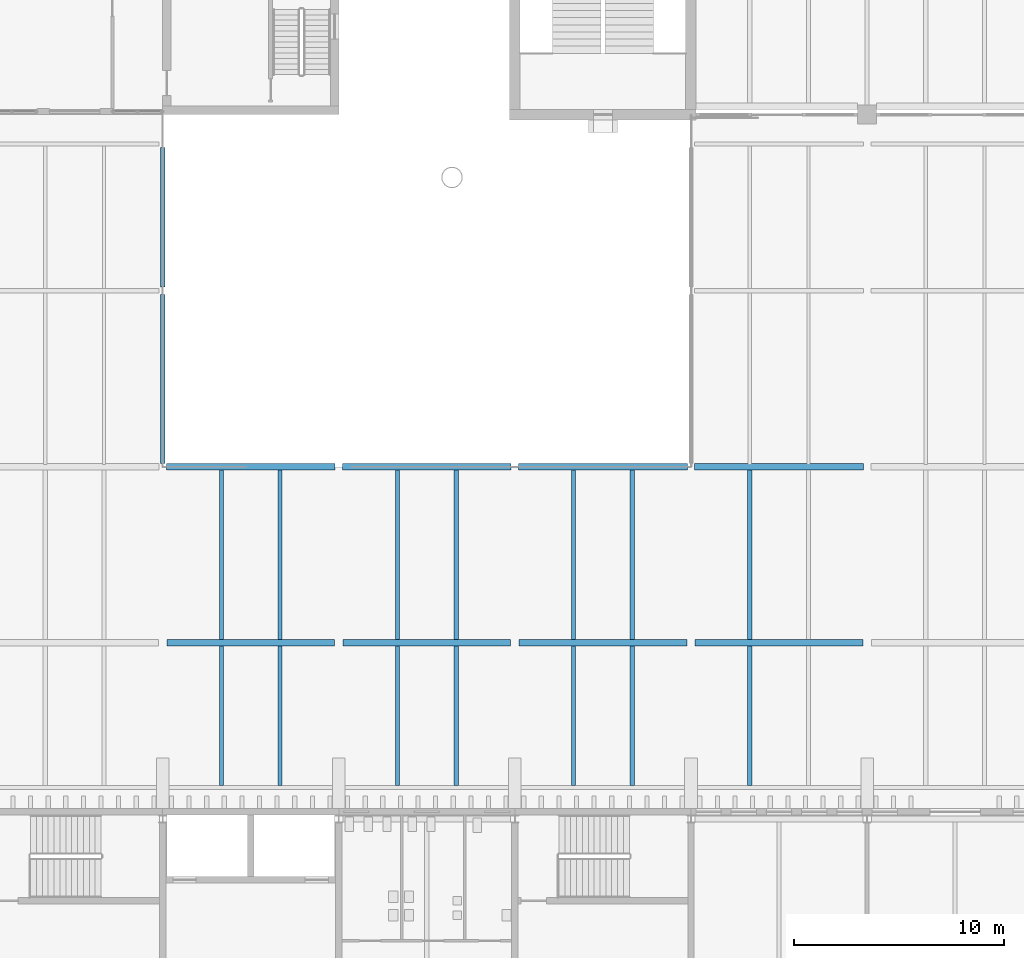
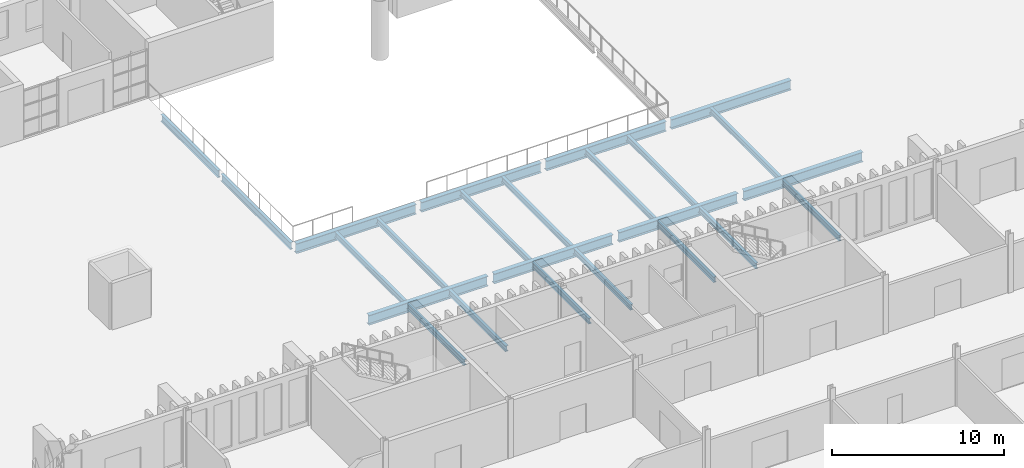
# One storey, part 21 of 96: 24 beams.
"""IFC4 building model written with IfcOpenShell, lengths in metres."""

from ifc_helpers import new_model, si_unit, direction, frame, origin, origin_2d, place, context, subcontext, project, spatial, i_section, extrude, material, material_profile, profile_set, type_object, element, save


model = new_model("IFC4")

# Units and contexts
model_context = context("Model", 3, precision=1e-05, world=origin(), true_north=direction((0.0, 1.0)))
body_context = subcontext(model_context, "Body", "Model", "MODEL_VIEW")
ifc_project = project(units=[si_unit("LENGTHUNIT", "METRE"), si_unit("AREAUNIT", "SQUARE_METRE"), si_unit("VOLUMEUNIT", "CUBIC_METRE"), si_unit("PLANEANGLEUNIT", "RADIAN"), si_unit("MASSUNIT", "GRAM", prefix="KILO")], contexts=[model_context])

# Site, building, storey
site_placement = place(None, origin())
site = spatial("IfcSite", under=ifc_project, at=site_placement, CompositionType="ELEMENT")
building_placement = place(site_placement, origin())
building = spatial("IfcBuilding", under=site, at=building_placement, Name="Cresset Court Congress Hotel", CompositionType="ELEMENT")
storey_placement = place(building_placement, frame((0.0, 0.0, 6.0)))
storey = spatial("IfcBuildingStorey", under=building, at=storey_placement, Name="L01", CompositionType="ELEMENT", Elevation=6.0)

# Beams
ifc_material_1 = material(Name="Structural steel Q355B", Category="steel")
ifc_material_profile_1 = material_profile(ifc_material_1, i_section(OverallWidth=0.199951171875, OverallDepth=0.39990234375, WebThickness=0.008056640625, FlangeThickness=0.012939453125, FilletRadius=0.01611328125, at=origin_2d()), Name="HN400x200x8x13")
ifc_profile_set_1 = profile_set([ifc_material_profile_1], Name="Structural steel Q355B")
beam_type_1 = type_object("IfcBeamType", Name="Steel beam HN400x200x8x13", PredefinedType="BEAM", material=ifc_profile_set_1)
beam_1_placement = place(storey_placement, frame((44.800048828125, 26.800048828125, -0.35009765625), z_axis=(0.0, 1.0, 0.0), x_axis=(-1.0, 0.0, 0.0)))
element("IfcBeam", 1, at=beam_1_placement, inside=storey, type_object=beam_type_1, Name="S.dbm.L01.S017", PredefinedType="BEAM", context=body_context, shape_type="SweptSolid", body=[
    extrude(i_section(OverallWidth=0.199951171875, OverallDepth=0.39990234375, WebThickness=0.008056640625, FlangeThickness=0.012939453125, FilletRadius=0.01611328125, at=origin_2d()), origin(), (0.0, 0.0, 1.0), 6.64990234375),
])
beam_2_placement = place(storey_placement, frame((44.800048828125, 33.75, -0.35009765625), z_axis=(0.0, 1.0, 0.0), x_axis=(-1.0, 0.0, 0.0)))
element("IfcBeam", 2, at=beam_2_placement, inside=storey, type_object=beam_type_1, Name="S.dbm.L01.S018", PredefinedType="BEAM", context=body_context, shape_type="SweptSolid", body=[
    extrude(i_section(OverallWidth=0.199951171875, OverallDepth=0.39990234375, WebThickness=0.008056640625, FlangeThickness=0.012939453125, FilletRadius=0.01611328125, at=origin_2d()), origin(), (0.0, 0.0, 1.0), 8.10009765625),
])
beam_3_placement = place(storey_placement, frame((47.60009765625, 26.800048828125, -0.35009765625), z_axis=(0.0, 1.0, 0.0), x_axis=(-1.0, 0.0, 0.0)))
element("IfcBeam", 3, at=beam_3_placement, inside=storey, type_object=beam_type_1, Name="S.dbm.L01.S019", PredefinedType="BEAM", context=body_context, shape_type="SweptSolid", body=[
    extrude(i_section(OverallWidth=0.199951171875, OverallDepth=0.39990234375, WebThickness=0.008056640625, FlangeThickness=0.012939453125, FilletRadius=0.01611328125, at=origin_2d()), origin(), (0.0, 0.0, 1.0), 6.64990234375),
])
beam_4_placement = place(storey_placement, frame((47.60009765625, 33.75, -0.35009765625), z_axis=(0.0, 1.0, 0.0), x_axis=(-1.0, 0.0, 0.0)))
element("IfcBeam", 4, at=beam_4_placement, inside=storey, type_object=beam_type_1, Name="S.dbm.L01.S020", PredefinedType="BEAM", context=body_context, shape_type="SweptSolid", body=[
    extrude(i_section(OverallWidth=0.199951171875, OverallDepth=0.39990234375, WebThickness=0.008056640625, FlangeThickness=0.012939453125, FilletRadius=0.01611328125, at=origin_2d()), origin(), (0.0, 0.0, 1.0), 8.10009765625),
])
beam_5_placement = place(storey_placement, frame((53.199951171875, 26.800048828125, -0.35009765625), z_axis=(0.0, 1.0, 0.0), x_axis=(-1.0, 0.0, 0.0)))
element("IfcBeam", 5, at=beam_5_placement, inside=storey, type_object=beam_type_1, Name="S.dbm.L01.S021", PredefinedType="BEAM", context=body_context, shape_type="SweptSolid", body=[
    extrude(i_section(OverallWidth=0.199951171875, OverallDepth=0.39990234375, WebThickness=0.008056640625, FlangeThickness=0.012939453125, FilletRadius=0.01611328125, at=origin_2d()), origin(), (0.0, 0.0, 1.0), 6.64990234375),
])
beam_6_placement = place(storey_placement, frame((53.199951171875, 33.75, -0.35009765625), z_axis=(0.0, 1.0, 0.0), x_axis=(-1.0, 0.0, 0.0)))
element("IfcBeam", 6, at=beam_6_placement, inside=storey, type_object=beam_type_1, Name="S.dbm.L01.S022", PredefinedType="BEAM", context=body_context, shape_type="SweptSolid", body=[
    extrude(i_section(OverallWidth=0.199951171875, OverallDepth=0.39990234375, WebThickness=0.008056640625, FlangeThickness=0.012939453125, FilletRadius=0.01611328125, at=origin_2d()), origin(), (0.0, 0.0, 1.0), 8.10009765625),
])
beam_7_placement = place(storey_placement, frame((56.0, 26.800048828125, -0.35009765625), z_axis=(0.0, 1.0, 0.0), x_axis=(-1.0, 0.0, 0.0)))
element("IfcBeam", 7, at=beam_7_placement, inside=storey, type_object=beam_type_1, Name="S.dbm.L01.S023", PredefinedType="BEAM", context=body_context, shape_type="SweptSolid", body=[
    extrude(i_section(OverallWidth=0.199951171875, OverallDepth=0.39990234375, WebThickness=0.008056640625, FlangeThickness=0.012939453125, FilletRadius=0.01611328125, at=origin_2d()), origin(), (0.0, 0.0, 1.0), 6.64990234375),
])
beam_8_placement = place(storey_placement, frame((56.0, 33.75, -0.35009765625), z_axis=(0.0, 1.0, 0.0), x_axis=(-1.0, 0.0, 0.0)))
element("IfcBeam", 8, at=beam_8_placement, inside=storey, type_object=beam_type_1, Name="S.dbm.L01.S024", PredefinedType="BEAM", context=body_context, shape_type="SweptSolid", body=[
    extrude(i_section(OverallWidth=0.199951171875, OverallDepth=0.39990234375, WebThickness=0.008056640625, FlangeThickness=0.012939453125, FilletRadius=0.01611328125, at=origin_2d()), origin(), (0.0, 0.0, 1.0), 8.10009765625),
])
beam_9_placement = place(storey_placement, frame((61.60009765625, 26.800048828125, -0.35009765625), z_axis=(0.0, 1.0, 0.0), x_axis=(-1.0, 0.0, 0.0)))
element("IfcBeam", 9, at=beam_9_placement, inside=storey, type_object=beam_type_1, Name="S.dbm.L01.S025", PredefinedType="BEAM", context=body_context, shape_type="SweptSolid", body=[
    extrude(i_section(OverallWidth=0.199951171875, OverallDepth=0.39990234375, WebThickness=0.008056640625, FlangeThickness=0.012939453125, FilletRadius=0.01611328125, at=origin_2d()), origin(), (0.0, 0.0, 1.0), 6.64990234375),
])
beam_10_placement = place(storey_placement, frame((61.60009765625, 33.75, -0.35009765625), z_axis=(0.0, 1.0, 0.0), x_axis=(-1.0, 0.0, 0.0)))
element("IfcBeam", 10, at=beam_10_placement, inside=storey, type_object=beam_type_1, Name="S.dbm.L01.S026", PredefinedType="BEAM", context=body_context, shape_type="SweptSolid", body=[
    extrude(i_section(OverallWidth=0.199951171875, OverallDepth=0.39990234375, WebThickness=0.008056640625, FlangeThickness=0.012939453125, FilletRadius=0.01611328125, at=origin_2d()), origin(), (0.0, 0.0, 1.0), 8.10009765625),
])
beam_11_placement = place(storey_placement, frame((64.39990234375, 26.800048828125, -0.35009765625), z_axis=(0.0, 1.0, 0.0), x_axis=(-1.0, 0.0, 0.0)))
element("IfcBeam", 11, at=beam_11_placement, inside=storey, type_object=beam_type_1, Name="S.dbm.L01.S027", PredefinedType="BEAM", context=body_context, shape_type="SweptSolid", body=[
    extrude(i_section(OverallWidth=0.199951171875, OverallDepth=0.39990234375, WebThickness=0.008056640625, FlangeThickness=0.012939453125, FilletRadius=0.01611328125, at=origin_2d()), origin(), (0.0, 0.0, 1.0), 6.64990234375),
])
beam_12_placement = place(storey_placement, frame((64.39990234375, 33.75, -0.35009765625), z_axis=(0.0, 1.0, 0.0), x_axis=(-1.0, 0.0, 0.0)))
element("IfcBeam", 12, at=beam_12_placement, inside=storey, type_object=beam_type_1, Name="S.dbm.L01.S028", PredefinedType="BEAM", context=body_context, shape_type="SweptSolid", body=[
    extrude(i_section(OverallWidth=0.199951171875, OverallDepth=0.39990234375, WebThickness=0.008056640625, FlangeThickness=0.012939453125, FilletRadius=0.01611328125, at=origin_2d()), origin(), (0.0, 0.0, 1.0), 8.10009765625),
])
beam_13_placement = place(storey_placement, frame((70.0, 26.800048828125, -0.35009765625), z_axis=(0.0, 1.0, 0.0), x_axis=(-1.0, 0.0, 0.0)))
element("IfcBeam", 13, at=beam_13_placement, inside=storey, type_object=beam_type_1, Name="S.dbm.L01.S029", PredefinedType="BEAM", context=body_context, shape_type="SweptSolid", body=[
    extrude(i_section(OverallWidth=0.199951171875, OverallDepth=0.39990234375, WebThickness=0.008056640625, FlangeThickness=0.012939453125, FilletRadius=0.01611328125, at=origin_2d()), origin(), (0.0, 0.0, 1.0), 6.64990234375),
])
beam_14_placement = place(storey_placement, frame((70.0, 33.75, -0.35009765625), z_axis=(0.0, 1.0, 0.0), x_axis=(-1.0, 0.0, 0.0)))
element("IfcBeam", 14, at=beam_14_placement, inside=storey, type_object=beam_type_1, Name="S.dbm.L01.S030", PredefinedType="BEAM", context=body_context, shape_type="SweptSolid", body=[
    extrude(i_section(OverallWidth=0.199951171875, OverallDepth=0.39990234375, WebThickness=0.008056640625, FlangeThickness=0.012939453125, FilletRadius=0.01611328125, at=origin_2d()), origin(), (0.0, 0.0, 1.0), 8.10009765625),
])
ifc_material_2 = material(Name="Structural steel Q355B", Category="steel")
ifc_material_profile_2 = material_profile(ifc_material_2, i_section(OverallWidth=0.199951171875, OverallDepth=0.5, WebThickness=0.010009765625, FlangeThickness=0.01611328125, FilletRadius=0.012939453125, at=origin_2d()), Name="HN500x200x10x16")
ifc_profile_set_2 = profile_set([ifc_material_profile_2], Name="Structural steel Q355B")
beam_type_2 = type_object("IfcBeamType", Name="Steel beam HN500x200x10x16", PredefinedType="BEAM", material=ifc_profile_set_2)
beam_15_placement = place(storey_placement, frame((42.0, 42.14990234375, -0.39990234375), z_axis=(0.0, 1.0, 0.0), x_axis=(-1.0, 0.0, 0.0)))
element("IfcBeam", 15, at=beam_15_placement, inside=storey, type_object=beam_type_2, Name="S.dbm.L01.P078", PredefinedType="BEAM", context=body_context, shape_type="SweptSolid", body=[
    extrude(i_section(OverallWidth=0.199951171875, OverallDepth=0.5, WebThickness=0.010009765625, FlangeThickness=0.01611328125, FilletRadius=0.012939453125, at=origin_2d()), origin(), (0.0, 0.0, 1.0), 8.0751953125),
])
beam_16_placement = place(storey_placement, frame((42.0, 50.574951171875, -0.39990234375), z_axis=(0.0, 1.0, 0.0), x_axis=(-1.0, 0.0, 0.0)))
element("IfcBeam", 16, at=beam_16_placement, inside=storey, type_object=beam_type_2, Name="S.dbm.L01.P079", PredefinedType="BEAM", context=body_context, shape_type="SweptSolid", body=[
    extrude(i_section(OverallWidth=0.199951171875, OverallDepth=0.5, WebThickness=0.010009765625, FlangeThickness=0.01611328125, FilletRadius=0.012939453125, at=origin_2d()), origin(), (0.0, 0.0, 1.0), 6.650146484375),
])
ifc_material_3 = material(Name="Structural steel Q355B", Category="steel")
ifc_material_profile_3 = material_profile(ifc_material_3, i_section(OverallWidth=0.300048828125, OverallDepth=0.699951171875, WebThickness=0.012939453125, FlangeThickness=0.02392578125, FilletRadius=0.01806640625, at=origin_2d()), Name="HN700x300x13x24")
ifc_profile_set_3 = profile_set([ifc_material_profile_3], Name="Structural steel Q355B")
beam_type_3 = type_object("IfcBeamType", Name="Steel beam HN700x300x13x24", PredefinedType="BEAM", material=ifc_profile_set_3)
for number, where, z_axis, x_axis, name in (
    (17, (42.199951171875, 33.60009765625, -0.5), (1.0, 0.0, 0.0), (0.0, 1.0, 0.0), "S.dbm.L01.P023"),
    (18, (50.60009765625, 33.60009765625, -0.5), (1.0, 0.0, 0.0), (0.0, 1.0, 0.0), "S.dbm.L01.P024"),
    (19, (59.0, 33.60009765625, -0.5), (1.0, 0.0, 0.0), (0.0, 1.0, 0.0), "S.dbm.L01.P025"),
    (20, (67.39990234375, 33.60009765625, -0.5), (1.0, 0.0, 0.0), (0.0, 1.0, 0.0), "S.dbm.L01.P026"),
):
    element("IfcBeam", number, at=place(storey_placement, frame(where, z_axis=z_axis, x_axis=x_axis)), inside=storey, type_object=beam_type_3, Name=name, PredefinedType="BEAM", context=body_context, shape_type="SweptSolid", body=[
        extrude(i_section(OverallWidth=0.300048828125, OverallDepth=0.699951171875, WebThickness=0.012939453125, FlangeThickness=0.02392578125, FilletRadius=0.01806640625, at=origin_2d()), origin(), (0.0, 0.0, 1.0), 8.0),
    ])
for number, where, z_axis, x_axis, name in (
    (21, (42.175048828125, 42.0, -0.5), (1.0, 0.0, 0.0), (0.0, 1.0, 0.0), "S.dbm.L01.P041"),
    (22, (50.574951171875, 42.0, -0.5), (1.0, 0.0, 0.0), (0.0, 1.0, 0.0), "S.dbm.L01.P042"),
):
    element("IfcBeam", number, at=place(storey_placement, frame(where, z_axis=z_axis, x_axis=x_axis)), inside=storey, type_object=beam_type_3, Name=name, PredefinedType="BEAM", context=body_context, shape_type="SweptSolid", body=[
        extrude(i_section(OverallWidth=0.300048828125, OverallDepth=0.699951171875, WebThickness=0.012939453125, FlangeThickness=0.02392578125, FilletRadius=0.01806640625, at=origin_2d()), origin(), (0.0, 0.0, 1.0), 8.050048828125),
    ])
beam_17_placement = place(storey_placement, frame((58.97509765625, 42.0, -0.5), z_axis=(1.0, 0.0, 0.0), x_axis=(0.0, 1.0, 0.0)))
element("IfcBeam", 23, at=beam_17_placement, inside=storey, type_object=beam_type_3, Name="S.dbm.L01.P043", PredefinedType="BEAM", context=body_context, shape_type="SweptSolid", body=[
    extrude(i_section(OverallWidth=0.300048828125, OverallDepth=0.699951171875, WebThickness=0.012939453125, FlangeThickness=0.02392578125, FilletRadius=0.01806640625, at=origin_2d()), origin(), (0.0, 0.0, 1.0), 8.0498046875),
])
beam_18_placement = place(storey_placement, frame((67.375, 42.0, -0.5), z_axis=(1.0, 0.0, 0.0), x_axis=(0.0, 1.0, 0.0)))
element("IfcBeam", 24, at=beam_18_placement, inside=storey, type_object=beam_type_3, Name="S.dbm.L01.P044", PredefinedType="BEAM", context=body_context, shape_type="SweptSolid", body=[
    extrude(i_section(OverallWidth=0.300048828125, OverallDepth=0.699951171875, WebThickness=0.012939453125, FlangeThickness=0.02392578125, FilletRadius=0.01806640625, at=origin_2d()), origin(), (0.0, 0.0, 1.0), 8.050048828125),
])

save(model, "model.ifc")
